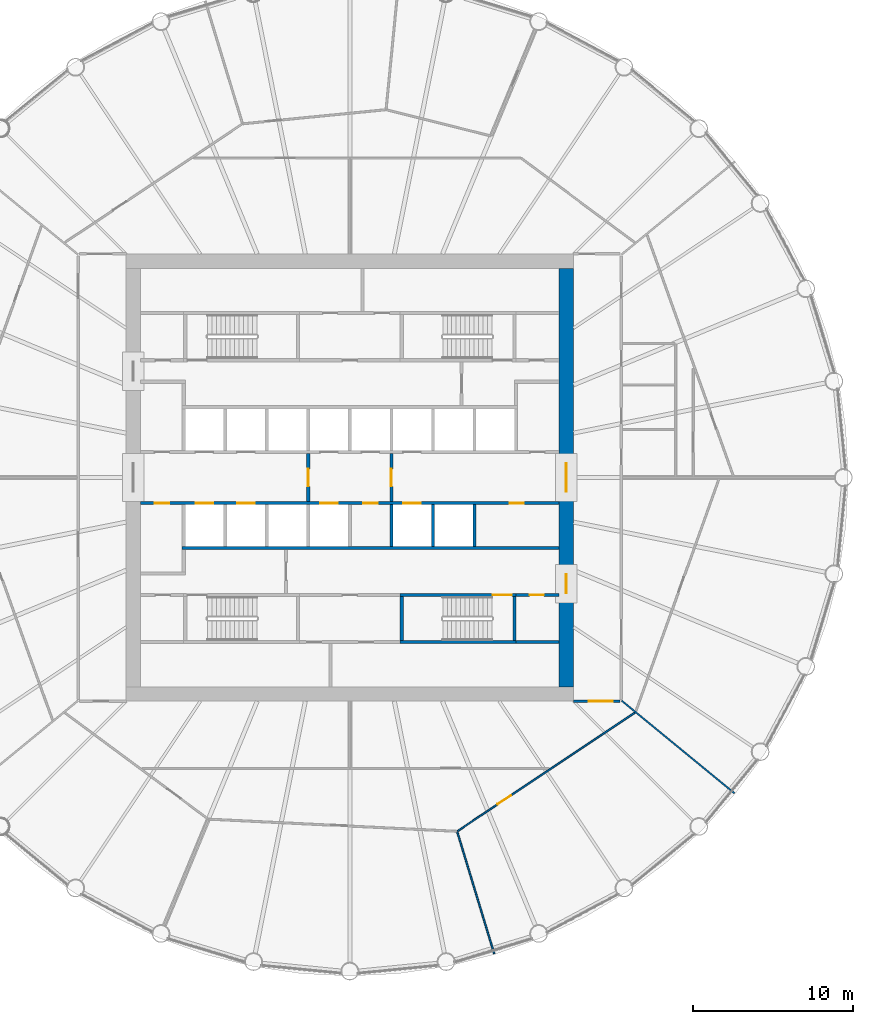
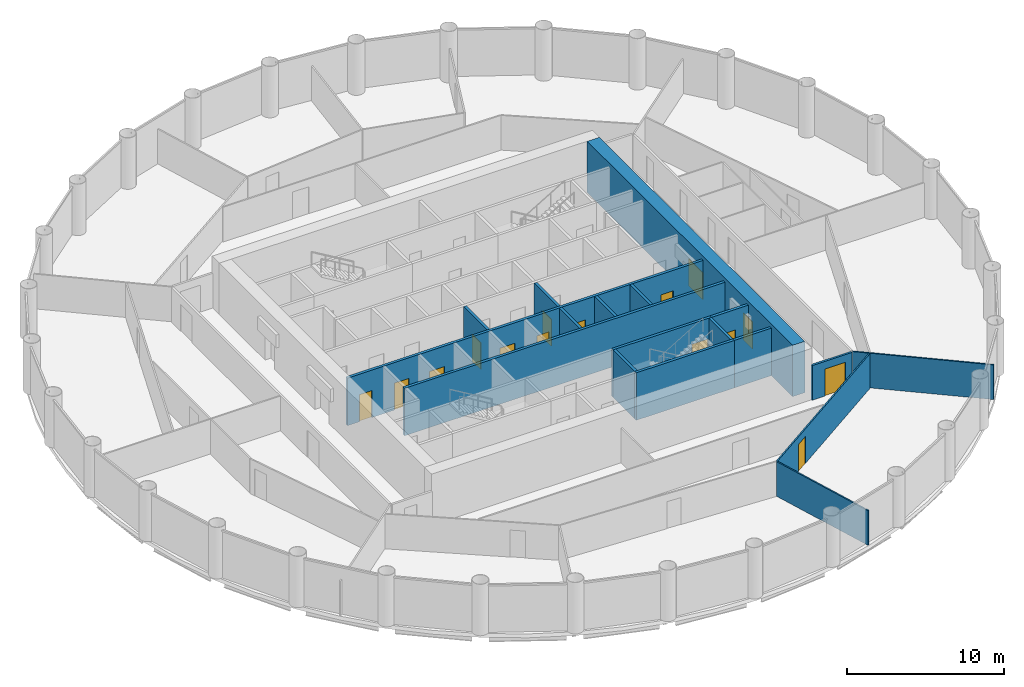
# One storey, part 5 of 9: 18 walls, 15 doors, 15 openings.
"""IFC4 building model written with IfcOpenShell, lengths in metres."""

from ifc_helpers import new_model, si_unit, direction, frame, frame_2d, origin, place, context, subcontext, project, spatial, polyline, rectangle, outline, extrude, material, layer, layer_set, type_object, element, fill, save


model = new_model("IFC4")

# Units and contexts
model_context = context("Model", 3, precision=1e-05, world=origin(), true_north=direction((0.0, 1.0)))
body_context = subcontext(model_context, "Body", "Model", "MODEL_VIEW")
ifc_project = project(units=[si_unit("LENGTHUNIT", "METRE"), si_unit("AREAUNIT", "SQUARE_METRE"), si_unit("VOLUMEUNIT", "CUBIC_METRE"), si_unit("PLANEANGLEUNIT", "RADIAN"), si_unit("MASSUNIT", "GRAM", prefix="KILO")], contexts=[model_context])

# Site, building, storey
site_placement = place(None, origin())
site = spatial("IfcSite", under=ifc_project, at=site_placement, CompositionType="ELEMENT")
building_placement = place(site_placement, origin())
building = spatial("IfcBuilding", under=site, at=building_placement, Name="Corvane Civic Tower", CompositionType="ELEMENT")
storey_placement = place(building_placement, frame((0.0, 0.0, 180.0)))
storey = spatial("IfcBuildingStorey", under=building, at=storey_placement, Name="L42", CompositionType="ELEMENT", Elevation=180.0)

# Wall, openings, doors
ifc_material_1 = material(Name="Concrete C60/75", Category="concrete")
ifc_layer_1 = layer(ifc_material_1, 0.89990234375)
ifc_layer_set_1 = layer_set([ifc_layer_1], Name="Concrete C60/75")
wall_type_1 = type_object("IfcWallType", Name="CORE WALL 900 C60/75", PredefinedType="SHEAR", material=ifc_layer_set_1)
wall_1_placement = place(storey_placement, frame((13.550048828125, -13.10009765625, 0.0), z_axis=(0.0, 0.0, 1.0), x_axis=(0.0, 1.0, 0.0)))
wall_1 = element("IfcWall", 1, at=wall_1_placement, inside=storey, type_object=wall_type_1, Name="W-L42-core-E", PredefinedType="SHEAR", context=body_context, shape_type="SweptSolid", body=[
    extrude(rectangle(XDim=26.2001953125, YDim=0.89990234375, at=frame_2d((13.10009765625, 0.0))), origin(), (0.0, 0.0, 1.0), 4.0),
])
opening_1_placement = place(wall_1_placement, frame((12.199951171875, 0.0, 0.0)))
opening_1 = element("IfcOpeningElement", 2, at=opening_1_placement, cuts=wall_1, Name="Opening L42.C25", PredefinedType="OPENING", context=body_context, shape_type="SweptSolid", body=[
    extrude(rectangle(XDim=1.800048828125, YDim=2.10009765625, at=frame_2d((0.89990234375, 1.050048828125))), frame((0.0, 0.4599609375, 0.0), z_axis=(0.0, -1.0, 0.0), x_axis=(1.0, 0.0, 0.0)), (0.0, 0.0, 1.0), 0.919921875),
])
opening_2_placement = place(wall_1_placement, frame((5.85009765625, 0.0, 0.0)))
opening_2 = element("IfcOpeningElement", 3, at=opening_2_placement, cuts=wall_1, Name="Opening L42.C27", PredefinedType="OPENING", context=body_context, shape_type="SweptSolid", body=[
    extrude(rectangle(XDim=1.199951171875, YDim=2.10009765625, at=frame_2d((0.60009765625, 1.050048828125))), frame((0.0, 0.4599609375, 0.0), z_axis=(0.0, -1.0, 0.0), x_axis=(1.0, 0.0, 0.0)), (0.0, 0.0, 1.0), 0.919921875),
])
ifc_material_2 = material(Name="Steel fire door leaf", Category="steel")
door_type_1 = type_object("IfcDoorType", Name="CR-DOOR-CORE-1800", OperationType="DOUBLE_DOOR_SINGLE_SWING", PredefinedType="DOOR", material=ifc_material_2)
door_1_placement = place(opening_1_placement, origin())
door_1 = element("IfcDoor", 4, at=door_1_placement, inside=storey, type_object=door_type_1, Name="L42 door", OperationType="DOUBLE_DOOR_SINGLE_SWING", OverallHeight=2.10009765625, OverallWidth=1.800048828125, PredefinedType="DOOR", context=body_context, shape_type="SweptSolid", body=[
    extrude(rectangle(XDim=1.800048828125, YDim=2.10009765625, at=frame_2d((0.89990234375, 1.050048828125))), frame((0.0, 0.02490234375, 0.0), z_axis=(0.0, -1.0, 0.0), x_axis=(1.0, 0.0, 0.0)), (0.0, 0.0, 1.0), 0.050048828125),
])
fill(opening_1, door_1)
door_2_placement = place(opening_2_placement, origin())
door_2 = element("IfcDoor", 5, at=door_2_placement, inside=storey, type_object=door_type_1, Name="L42 door", OperationType="DOUBLE_DOOR_SINGLE_SWING", OverallHeight=2.10009765625, OverallWidth=1.199951171875, PredefinedType="DOOR", context=body_context, shape_type="SweptSolid", body=[
    extrude(rectangle(XDim=1.199951171875, YDim=2.10009765625, at=frame_2d((0.60009765625, 1.050048828125))), frame((0.0, 0.02490234375, 0.0), z_axis=(0.0, -1.0, 0.0), x_axis=(1.0, 0.0, 0.0)), (0.0, 0.0, 1.0), 0.050048828125),
])
fill(opening_2, door_2)

# Wall, opening, door
ifc_material_3 = material(Name="Concrete C30/37", Category="concrete")
ifc_layer_2 = layer(ifc_material_3, 0.199951171875)
ifc_layer_set_2 = layer_set([ifc_layer_2], Name="Concrete C30/37")
wall_type_2 = type_object("IfcWallType", Name="CR-WALL-200", PredefinedType="PARTITIONING", material=ifc_layer_set_2)
wall_2_placement = place(storey_placement, frame((10.39990234375, -7.35009765625, 0.0), z_axis=(0.0, 0.0, 1.0), x_axis=(1.0, 0.0, 0.0)))
wall_2 = element("IfcWall", 6, at=wall_2_placement, inside=storey, type_object=wall_type_2, Name="L42 core partition wall", PredefinedType="PARTITIONING", context=body_context, shape_type="SweptSolid", body=[
    extrude(rectangle(XDim=2.7001953125, YDim=0.199951171875, at=frame_2d((1.35009765625, 0.0))), origin(), (0.0, 0.0, 1.0), 3.699951171875),
])
opening_3_placement = place(wall_2_placement, frame((0.85009765625, 0.0, 0.0)))
opening_3 = element("IfcOpeningElement", 7, at=opening_3_placement, cuts=wall_2, Name="Opening L42.C15", PredefinedType="OPENING", context=body_context, shape_type="SweptSolid", body=[
    extrude(rectangle(XDim=0.89990234375, YDim=2.10009765625, at=frame_2d((0.449951171875, 1.050048828125))), frame((0.0, 0.10986328125, 0.0), z_axis=(0.0, -1.0, 0.0), x_axis=(1.0, 0.0, 0.0)), (0.0, 0.0, 1.0), 0.219970703125),
])
ifc_material_4 = material(Name="Steel fire door leaf", Category="steel")
door_type_2 = type_object("IfcDoorType", Name="CR-DOOR-900", OperationType="SINGLE_SWING_LEFT", PredefinedType="DOOR", material=ifc_material_4)
door_3_placement = place(opening_3_placement, origin())
door_3 = element("IfcDoor", 8, at=door_3_placement, inside=storey, type_object=door_type_2, Name="L42 door", OperationType="SINGLE_SWING_LEFT", OverallHeight=2.10009765625, OverallWidth=0.89990234375, PredefinedType="DOOR", context=body_context, shape_type="SweptSolid", body=[
    extrude(rectangle(XDim=0.89990234375, YDim=2.10009765625, at=frame_2d((0.449951171875, 1.050048828125))), frame((0.0, 0.02490234375, 0.0), z_axis=(0.0, -1.0, 0.0), x_axis=(1.0, 0.0, 0.0)), (0.0, 0.0, 1.0), 0.050048828125),
])
fill(opening_3, door_3)

# Wall, openings, doors
wall_3_placement = place(storey_placement, frame((-13.10009765625, -1.60009765625, 0.0), z_axis=(0.0, 0.0, 1.0), x_axis=(1.0, 0.0, 0.0)))
wall_3 = element("IfcWall", 9, at=wall_3_placement, inside=storey, type_object=wall_type_2, Name="L42 lift shaft wall", PredefinedType="PARTITIONING", context=body_context, shape_type="SweptSolid", body=[
    extrude(rectangle(XDim=26.2001953125, YDim=0.199951171875, at=frame_2d((13.10009765625, 0.0))), origin(), (0.0, 0.0, 1.0), 3.699951171875),
])
opening_4_placement = place(wall_3_placement, frame((3.449951171875, 0.0, 0.0)))
opening_4 = element("IfcOpeningElement", 10, at=opening_4_placement, cuts=wall_3, Name="Opening LD", PredefinedType="OPENING", context=body_context, shape_type="SweptSolid", body=[
    extrude(rectangle(XDim=1.10009765625, YDim=2.10009765625, at=frame_2d((0.550048828125, 1.050048828125))), frame((0.0, 0.10986328125, 0.0), z_axis=(0.0, -1.0, 0.0), x_axis=(1.0, 0.0, 0.0)), (0.0, 0.0, 1.0), 0.219970703125),
])
opening_5_placement = place(wall_3_placement, frame((6.050048828125, 0.0, 0.0)))
opening_5 = element("IfcOpeningElement", 11, at=opening_5_placement, cuts=wall_3, Name="Opening LD", PredefinedType="OPENING", context=body_context, shape_type="SweptSolid", body=[
    extrude(rectangle(XDim=1.10009765625, YDim=2.10009765625, at=frame_2d((0.550048828125, 1.050048828125))), frame((0.0, 0.10986328125, 0.0), z_axis=(0.0, -1.0, 0.0), x_axis=(1.0, 0.0, 0.0)), (0.0, 0.0, 1.0), 0.219970703125),
])
opening_6_placement = place(wall_3_placement, frame((11.25, 0.0, 0.0)))
opening_6 = element("IfcOpeningElement", 12, at=opening_6_placement, cuts=wall_3, Name="Opening LD", PredefinedType="OPENING", context=body_context, shape_type="SweptSolid", body=[
    extrude(rectangle(XDim=1.10009765625, YDim=2.10009765625, at=frame_2d((0.550048828125, 1.050048828125))), frame((0.0, 0.10986328125, 0.0), z_axis=(0.0, -1.0, 0.0), x_axis=(1.0, 0.0, 0.0)), (0.0, 0.0, 1.0), 0.219970703125),
])
opening_7_placement = place(wall_3_placement, frame((13.949951171875, 0.0, 0.0)))
opening_7 = element("IfcOpeningElement", 13, at=opening_7_placement, cuts=wall_3, Name="Opening L42.C03", PredefinedType="OPENING", context=body_context, shape_type="SweptSolid", body=[
    extrude(rectangle(XDim=0.89990234375, YDim=2.10009765625, at=frame_2d((0.449951171875, 1.050048828125))), frame((0.0, 0.10986328125, 0.0), z_axis=(0.0, -1.0, 0.0), x_axis=(1.0, 0.0, 0.0)), (0.0, 0.0, 1.0), 0.219970703125),
])
opening_8_placement = place(wall_3_placement, frame((16.449951171875, 0.0, 0.0)))
opening_8 = element("IfcOpeningElement", 14, at=opening_8_placement, cuts=wall_3, Name="Opening LD", PredefinedType="OPENING", context=body_context, shape_type="SweptSolid", body=[
    extrude(rectangle(XDim=1.10009765625, YDim=2.10009765625, at=frame_2d((0.550048828125, 1.050048828125))), frame((0.0, 0.10986328125, 0.0), z_axis=(0.0, -1.0, 0.0), x_axis=(1.0, 0.0, 0.0)), (0.0, 0.0, 1.0), 0.219970703125),
])
opening_9_placement = place(wall_3_placement, frame((0.89990234375, 0.0, 0.0)))
opening_9 = element("IfcOpeningElement", 15, at=opening_9_placement, cuts=wall_3, Name="Opening L42.C04", PredefinedType="OPENING", context=body_context, shape_type="SweptSolid", body=[
    extrude(rectangle(XDim=0.89990234375, YDim=2.10009765625, at=frame_2d((0.449951171875, 1.050048828125))), frame((0.0, 0.10986328125, 0.0), z_axis=(0.0, -1.0, 0.0), x_axis=(1.0, 0.0, 0.0)), (0.0, 0.0, 1.0), 0.219970703125),
])
opening_10_placement = place(wall_3_placement, frame((23.10009765625, 0.0, 0.0)))
opening_10 = element("IfcOpeningElement", 16, at=opening_10_placement, cuts=wall_3, Name="Opening L42.C05", PredefinedType="OPENING", context=body_context, shape_type="SweptSolid", body=[
    extrude(rectangle(XDim=0.89990234375, YDim=2.10009765625, at=frame_2d((0.449951171875, 1.050048828125))), frame((0.0, 0.10986328125, 0.0), z_axis=(0.0, -1.0, 0.0), x_axis=(1.0, 0.0, 0.0)), (0.0, 0.0, 1.0), 0.219970703125),
])
door_4_placement = place(opening_7_placement, origin())
door_4 = element("IfcDoor", 17, at=door_4_placement, inside=storey, type_object=door_type_2, Name="L42 door", OperationType="SINGLE_SWING_LEFT", OverallHeight=2.10009765625, OverallWidth=0.89990234375, PredefinedType="DOOR", context=body_context, shape_type="SweptSolid", body=[
    extrude(rectangle(XDim=0.89990234375, YDim=2.10009765625, at=frame_2d((0.449951171875, 1.050048828125))), frame((0.0, 0.02490234375, 0.0), z_axis=(0.0, -1.0, 0.0), x_axis=(1.0, 0.0, 0.0)), (0.0, 0.0, 1.0), 0.050048828125),
])
fill(opening_7, door_4)
door_5_placement = place(opening_9_placement, origin())
door_5 = element("IfcDoor", 18, at=door_5_placement, inside=storey, type_object=door_type_2, Name="L42 door", OperationType="SINGLE_SWING_LEFT", OverallHeight=2.10009765625, OverallWidth=0.89990234375, PredefinedType="DOOR", context=body_context, shape_type="SweptSolid", body=[
    extrude(rectangle(XDim=0.89990234375, YDim=2.10009765625, at=frame_2d((0.449951171875, 1.050048828125))), frame((0.0, 0.02490234375, 0.0), z_axis=(0.0, -1.0, 0.0), x_axis=(1.0, 0.0, 0.0)), (0.0, 0.0, 1.0), 0.050048828125),
])
fill(opening_9, door_5)
door_6_placement = place(opening_10_placement, origin())
door_6 = element("IfcDoor", 19, at=door_6_placement, inside=storey, type_object=door_type_2, Name="L42 door", OperationType="SINGLE_SWING_LEFT", OverallHeight=2.10009765625, OverallWidth=0.89990234375, PredefinedType="DOOR", context=body_context, shape_type="SweptSolid", body=[
    extrude(rectangle(XDim=0.89990234375, YDim=2.10009765625, at=frame_2d((0.449951171875, 1.050048828125))), frame((0.0, 0.02490234375, 0.0), z_axis=(0.0, -1.0, 0.0), x_axis=(1.0, 0.0, 0.0)), (0.0, 0.0, 1.0), 0.050048828125),
])
fill(opening_10, door_6)
ifc_material_5 = material(Name="Stainless steel 316 door leaves", Category="steel")
door_type_3 = type_object("IfcDoorType", Name="LD", OperationType="DOUBLE_DOOR_SLIDING", PredefinedType="DOOR", material=ifc_material_5)
door_7_placement = place(opening_4_placement, origin())
door_7 = element("IfcDoor", 20, at=door_7_placement, inside=storey, type_object=door_type_3, Name="L42 landing door", OperationType="DOUBLE_DOOR_SLIDING", OverallHeight=2.10009765625, OverallWidth=1.10009765625, PredefinedType="DOOR", context=body_context, shape_type="SweptSolid", body=[
    extrude(rectangle(XDim=1.10009765625, YDim=2.10009765625, at=frame_2d((0.550048828125, 1.050048828125))), frame((0.0, 0.02490234375, 0.0), z_axis=(0.0, -1.0, 0.0), x_axis=(1.0, 0.0, 0.0)), (0.0, 0.0, 1.0), 0.050048828125),
])
fill(opening_4, door_7)
door_8_placement = place(opening_5_placement, origin())
door_8 = element("IfcDoor", 21, at=door_8_placement, inside=storey, type_object=door_type_3, Name="L42 landing door", OperationType="DOUBLE_DOOR_SLIDING", OverallHeight=2.10009765625, OverallWidth=1.10009765625, PredefinedType="DOOR", context=body_context, shape_type="SweptSolid", body=[
    extrude(rectangle(XDim=1.10009765625, YDim=2.10009765625, at=frame_2d((0.550048828125, 1.050048828125))), frame((0.0, 0.02490234375, 0.0), z_axis=(0.0, -1.0, 0.0), x_axis=(1.0, 0.0, 0.0)), (0.0, 0.0, 1.0), 0.050048828125),
])
fill(opening_5, door_8)
door_9_placement = place(opening_6_placement, origin())
door_9 = element("IfcDoor", 22, at=door_9_placement, inside=storey, type_object=door_type_3, Name="L42 landing door", OperationType="DOUBLE_DOOR_SLIDING", OverallHeight=2.10009765625, OverallWidth=1.10009765625, PredefinedType="DOOR", context=body_context, shape_type="SweptSolid", body=[
    extrude(rectangle(XDim=1.10009765625, YDim=2.10009765625, at=frame_2d((0.550048828125, 1.050048828125))), frame((0.0, 0.02490234375, 0.0), z_axis=(0.0, -1.0, 0.0), x_axis=(1.0, 0.0, 0.0)), (0.0, 0.0, 1.0), 0.050048828125),
])
fill(opening_6, door_9)
door_10_placement = place(opening_8_placement, origin())
door_10 = element("IfcDoor", 23, at=door_10_placement, inside=storey, type_object=door_type_3, Name="L42 landing door", OperationType="DOUBLE_DOOR_SLIDING", OverallHeight=2.10009765625, OverallWidth=1.10009765625, PredefinedType="DOOR", context=body_context, shape_type="SweptSolid", body=[
    extrude(rectangle(XDim=1.10009765625, YDim=2.10009765625, at=frame_2d((0.550048828125, 1.050048828125))), frame((0.0, 0.02490234375, 0.0), z_axis=(0.0, -1.0, 0.0), x_axis=(1.0, 0.0, 0.0)), (0.0, 0.0, 1.0), 0.050048828125),
])
fill(opening_8, door_10)

# Wall, opening, door
wall_4_placement = place(storey_placement, frame((-2.60009765625, -1.5, 0.0), z_axis=(0.0, 0.0, 1.0), x_axis=(0.0, 1.0, 0.0)))
wall_4 = element("IfcWall", 24, at=wall_4_placement, inside=storey, type_object=wall_type_2, Name="L42 firefighting lobby wall", PredefinedType="PARTITIONING", context=body_context, shape_type="SweptSolid", body=[
    extrude(rectangle(XDim=3.0, YDim=0.199951171875, at=frame_2d((1.5, 0.0))), origin(), (0.0, 0.0, 1.0), 3.699951171875),
])
opening_11_placement = place(wall_4_placement, frame((0.949951171875, 0.0, 0.0)))
opening_11 = element("IfcOpeningElement", 25, at=opening_11_placement, cuts=wall_4, Name="Opening L42.C20", PredefinedType="OPENING", context=body_context, shape_type="SweptSolid", body=[
    extrude(rectangle(XDim=1.10009765625, YDim=2.10009765625, at=frame_2d((0.550048828125, 1.050048828125))), frame((0.0, 0.10986328125, 0.0), z_axis=(0.0, -1.0, 0.0), x_axis=(1.0, 0.0, 0.0)), (0.0, 0.0, 1.0), 0.219970703125),
])
ifc_material_6 = material(Name="Steel fire door leaf", Category="steel")
door_type_4 = type_object("IfcDoorType", Name="CR-DOOR-FFL-1100", OperationType="SINGLE_SWING_LEFT", PredefinedType="DOOR", material=ifc_material_6)
door_11_placement = place(opening_11_placement, origin())
door_11 = element("IfcDoor", 26, at=door_11_placement, inside=storey, type_object=door_type_4, Name="L42 lobby door", OperationType="SINGLE_SWING_LEFT", OverallHeight=2.10009765625, OverallWidth=1.10009765625, PredefinedType="DOOR", context=body_context, shape_type="SweptSolid", body=[
    extrude(rectangle(XDim=1.10009765625, YDim=2.10009765625, at=frame_2d((0.550048828125, 1.050048828125))), frame((0.0, 0.02490234375, 0.0), z_axis=(0.0, -1.0, 0.0), x_axis=(1.0, 0.0, 0.0)), (0.0, 0.0, 1.0), 0.050048828125),
])
fill(opening_11, door_11)

wall_5_placement = place(storey_placement, frame((2.60009765625, -1.5, 0.0), z_axis=(0.0, 0.0, 1.0), x_axis=(0.0, 1.0, 0.0)))
wall_5 = element("IfcWall", 27, at=wall_5_placement, inside=storey, type_object=wall_type_2, Name="L42 firefighting lobby wall", PredefinedType="PARTITIONING", context=body_context, shape_type="SweptSolid", body=[
    extrude(rectangle(XDim=3.0, YDim=0.199951171875, at=frame_2d((1.5, 0.0))), origin(), (0.0, 0.0, 1.0), 3.699951171875),
])
opening_12_placement = place(wall_5_placement, frame((0.949951171875, 0.0, 0.0)))
opening_12 = element("IfcOpeningElement", 28, at=opening_12_placement, cuts=wall_5, Name="Opening L42.C21", PredefinedType="OPENING", context=body_context, shape_type="SweptSolid", body=[
    extrude(rectangle(XDim=1.10009765625, YDim=2.10009765625, at=frame_2d((0.550048828125, 1.050048828125))), frame((0.0, 0.10986328125, 0.0), z_axis=(0.0, -1.0, 0.0), x_axis=(1.0, 0.0, 0.0)), (0.0, 0.0, 1.0), 0.219970703125),
])
door_12_placement = place(opening_12_placement, origin())
door_12 = element("IfcDoor", 29, at=door_12_placement, inside=storey, type_object=door_type_4, Name="L42 lobby door", OperationType="SINGLE_SWING_LEFT", OverallHeight=2.10009765625, OverallWidth=1.10009765625, PredefinedType="DOOR", context=body_context, shape_type="SweptSolid", body=[
    extrude(rectangle(XDim=1.10009765625, YDim=2.10009765625, at=frame_2d((0.550048828125, 1.050048828125))), frame((0.0, 0.02490234375, 0.0), z_axis=(0.0, -1.0, 0.0), x_axis=(1.0, 0.0, 0.0)), (0.0, 0.0, 1.0), 0.050048828125),
])
fill(opening_12, door_12)

# Walls
wall_6_placement = place(storey_placement, origin())
element("IfcWall", 30, at=wall_6_placement, inside=storey, type_object=wall_type_2, Name="L42 core partition wall", PredefinedType="PARTITIONING", context=body_context, shape_type="SweptSolid", body=[
    extrude(outline(polyline([(13.10009765625, -4.300048828125), (13.10009765625, -4.5), (-10.5, -4.5), (-10.5, -4.300048828125), (13.10009765625, -4.300048828125)])), origin(), (0.0, 0.0, 1.0), 3.699951171875),
])
wall_7_placement = place(storey_placement, origin())
element("IfcWall", 31, at=wall_7_placement, inside=storey, type_object=wall_type_2, Name="L42 core partition wall", PredefinedType="PARTITIONING", context=body_context, shape_type="SweptSolid", body=[
    extrude(outline(polyline([(2.699951171875, -1.699951171875), (2.699951171875, -4.2998046875), (2.5, -4.2998046875), (2.5, -1.699951171875), (2.699951171875, -1.699951171875)])), origin(), (0.0, 0.0, 1.0), 3.699951171875),
])
wall_8_placement = place(storey_placement, origin())
element("IfcWall", 32, at=wall_8_placement, inside=storey, type_object=wall_type_2, Name="L42 core partition wall", PredefinedType="PARTITIONING", context=body_context, shape_type="SweptSolid", body=[
    extrude(outline(polyline([(5.300048828125, -1.699951171875), (5.300048828125, -4.2998046875), (5.10009765625, -4.2998046875), (5.10009765625, -1.699951171875), (5.300048828125, -1.699951171875)])), origin(), (0.0, 0.0, 1.0), 3.699951171875),
])
wall_9_placement = place(storey_placement, origin())
element("IfcWall", 33, at=wall_9_placement, inside=storey, type_object=wall_type_2, Name="L42 core partition wall", PredefinedType="PARTITIONING", context=body_context, shape_type="SweptSolid", body=[
    extrude(outline(polyline([(7.89990234375, -1.699951171875), (7.89990234375, -4.2998046875), (7.699951171875, -4.2998046875), (7.699951171875, -1.699951171875), (7.89990234375, -1.699951171875)])), origin(), (0.0, 0.0, 1.0), 3.699951171875),
])
wall_10_placement = place(storey_placement, origin())
element("IfcWall", 34, at=wall_10_placement, inside=storey, type_object=wall_type_2, Name="L42 core partition wall", PredefinedType="PARTITIONING", context=body_context, shape_type="SweptSolid", body=[
    extrude(outline(polyline([(13.10009765625, -10.39990234375), (10.39990234375, -10.39990234375), (10.39990234375, -10.199951171875), (13.10009765625, -10.199951171875), (13.10009765625, -10.39990234375)])), origin(), (0.0, 0.0, 1.0), 3.699951171875),
])
ifc_material_7 = material(Name="Plasterboard")
ifc_layer_3 = layer(ifc_material_7, 0.10009765625)
ifc_layer_set_3 = layer_set([ifc_layer_3], Name="Plasterboard")
wall_type_3 = type_object("IfcWallType", Name="Partition 100 plasterboard on studs", PredefinedType="PARTITIONING", material=ifc_layer_set_3)
wall_11_placement = place(storey_placement, frame((6.72802734375, -22.1796875, 0.0), z_axis=(0.0, 0.0, 1.0), x_axis=(0.29030485327, -0.956934215173, 0.0)))
element("IfcWall", 35, at=wall_11_placement, inside=storey, type_object=wall_type_3, Name="Partition L42.001", PredefinedType="PARTITIONING", context=body_context, shape_type="SweptSolid", body=[
    extrude(rectangle(XDim=7.972412109375, YDim=0.10009765625, at=frame_2d((3.986328125, 0.0))), origin(), (0.0, 0.0, 1.0), 2.699951171875),
])

# Wall, opening, door
wall_12_placement = place(storey_placement, frame((6.748291015625, -22.12353515625, 0.0), z_axis=(0.0, 0.0, 1.0), x_axis=(0.831460930183, 0.55558322651, 0.0)))
wall_12 = element("IfcWall", 36, at=wall_12_placement, inside=storey, type_object=wall_type_3, Name="Partition L42.004", PredefinedType="PARTITIONING", context=body_context, shape_type="SweptSolid", body=[
    extrude(rectangle(XDim=13.330078125, YDim=0.10009765625, at=frame_2d((6.6650390625, 0.0))), origin(), (0.0, 0.0, 1.0), 2.699951171875),
])
opening_13_placement = place(wall_12_placement, frame((3.012451171875, 0.0, 0.0)))
opening_13 = element("IfcOpeningElement", 37, at=opening_13_placement, cuts=wall_12, Name="Opening L42.007", PredefinedType="OPENING", context=body_context, shape_type="SweptSolid", body=[
    extrude(rectangle(XDim=1.0, YDim=2.10009765625, at=frame_2d((0.5, 1.050048828125))), frame((0.0, 0.06005859375, 0.0), z_axis=(0.0, -1.0, 0.0), x_axis=(1.0, 0.0, 0.0)), (0.0, 0.0, 1.0), 0.1201171875),
])
ifc_material_8 = material(Name="Timber", Category="wood")
door_type_5 = type_object("IfcDoorType", Name="Single door 1000", OperationType="NOTDEFINED", PredefinedType="DOOR", material=ifc_material_8)
door_13_placement = place(opening_13_placement, frame((1.0, 0.0, 0.0), z_axis=(0.0, 0.0, 1.0), x_axis=(-1.0, 0.0, 0.0)))
door_13 = element("IfcDoor", 38, at=door_13_placement, inside=storey, type_object=door_type_5, Name="Door L42.007", OperationType="SINGLE_SWING_LEFT", OverallHeight=2.10009765625, OverallWidth=1.0, PredefinedType="DOOR", context=body_context, shape_type="SweptSolid", body=[
    extrude(rectangle(XDim=1.0, YDim=2.10009765625, at=frame_2d((0.5, 1.050048828125))), frame((0.0, 0.02490234375, 0.0), z_axis=(0.0, -1.0, 0.0), x_axis=(1.0, 0.0, 0.0)), (0.0, 0.0, 1.0), 0.050048828125),
])
fill(opening_13, door_13)

# Wall
wall_13_placement = place(storey_placement, frame((17.018310546875, -13.966552734375, 0.0), z_axis=(0.0, 0.0, 1.0), x_axis=(0.773006154143, -0.634398522742, 0.0)))
element("IfcWall", 39, at=wall_13_placement, inside=storey, type_object=wall_type_3, Name="Partition L42.007", PredefinedType="PARTITIONING", context=body_context, shape_type="SweptSolid", body=[
    extrude(rectangle(XDim=9.134521484375, YDim=0.10009765625, at=frame_2d((4.5673828125, 0.0))), origin(), (0.0, 0.0, 1.0), 2.699951171875),
])

# Wall, opening, door
ifc_material_9 = material(Name="Concrete C50/60", Category="concrete")
ifc_layer_4 = layer(ifc_material_9, 0.199951171875)
ifc_layer_set_4 = layer_set([ifc_layer_4], Name="Concrete C50/60")
wall_type_4 = type_object("IfcWallType", Name="ST-WALL-200", PredefinedType="SHEAR", material=ifc_layer_set_4)
wall_14_placement = place(storey_placement, frame((3.14990234375, -7.35009765625, 0.0), z_axis=(0.0, 0.0, 1.0), x_axis=(1.0, 0.0, 0.0)))
wall_14 = element("IfcWall", 40, at=wall_14_placement, inside=storey, type_object=wall_type_4, Name="L42 stair enclosure wall", PredefinedType="SHEAR", context=body_context, shape_type="SweptSolid", body=[
    extrude(rectangle(XDim=7.25, YDim=0.199951171875, at=frame_2d((3.625, 0.0))), origin(), (0.0, 0.0, 1.0), 3.699951171875),
])
opening_14_placement = place(wall_14_placement, frame((5.800048828125, 0.0, 0.0)))
opening_14 = element("IfcOpeningElement", 41, at=opening_14_placement, cuts=wall_14, Name="Opening L42.C18", PredefinedType="OPENING", context=body_context, shape_type="SweptSolid", body=[
    extrude(rectangle(XDim=1.199951171875, YDim=2.10009765625, at=frame_2d((0.60009765625, 1.050048828125))), frame((0.0, 0.10986328125, 0.0), z_axis=(0.0, -1.0, 0.0), x_axis=(1.0, 0.0, 0.0)), (0.0, 0.0, 1.0), 0.219970703125),
])
ifc_material_10 = material(Name="Steel fire door leaf", Category="steel")
door_type_6 = type_object("IfcDoorType", Name="ST-DOOR-1200", OperationType="SINGLE_SWING_RIGHT", PredefinedType="DOOR", material=ifc_material_10)
door_14_placement = place(opening_14_placement, origin())
door_14 = element("IfcDoor", 42, at=door_14_placement, inside=storey, type_object=door_type_6, Name="L42 stair door", OperationType="SINGLE_SWING_RIGHT", OverallHeight=2.10009765625, OverallWidth=1.199951171875, PredefinedType="DOOR", context=body_context, shape_type="SweptSolid", body=[
    extrude(rectangle(XDim=1.199951171875, YDim=2.10009765625, at=frame_2d((0.60009765625, 1.050048828125))), frame((0.0, 0.02490234375, 0.0), z_axis=(0.0, -1.0, 0.0), x_axis=(1.0, 0.0, 0.0)), (0.0, 0.0, 1.0), 0.050048828125),
])
fill(opening_14, door_14)

# Walls
wall_15_placement = place(storey_placement, origin())
element("IfcWall", 43, at=wall_15_placement, inside=storey, type_object=wall_type_4, Name="L42 stair enclosure wall", PredefinedType="SHEAR", context=body_context, shape_type="SweptSolid", body=[
    extrude(outline(polyline([(10.39990234375, -10.39990234375), (3.14990234375, -10.39990234375), (3.14990234375, -10.199951171875), (10.39990234375, -10.199951171875), (10.39990234375, -10.39990234375)])), origin(), (0.0, 0.0, 1.0), 3.699951171875),
])
wall_16_placement = place(storey_placement, origin())
element("IfcWall", 44, at=wall_16_placement, inside=storey, type_object=wall_type_4, Name="L42 stair enclosure wall", PredefinedType="SHEAR", context=body_context, shape_type="SweptSolid", body=[
    extrude(outline(polyline([(3.35009765625, -7.449951171875), (3.35009765625, -10.199951171875), (3.14990234375, -10.199951171875), (3.14990234375, -7.449951171875), (3.35009765625, -7.449951171875)])), origin(), (0.0, 0.0, 1.0), 3.699951171875),
])
wall_17_placement = place(storey_placement, origin())
element("IfcWall", 45, at=wall_17_placement, inside=storey, type_object=wall_type_4, Name="L42 stair enclosure wall", PredefinedType="SHEAR", context=body_context, shape_type="SweptSolid", body=[
    extrude(outline(polyline([(10.39990234375, -7.449951171875), (10.39990234375, -10.199951171875), (10.199951171875, -10.199951171875), (10.199951171875, -7.449951171875), (10.39990234375, -7.449951171875)])), origin(), (0.0, 0.0, 1.0), 3.699951171875),
])

# Wall, opening, door
ifc_material_11 = material(Name="Plasterboard")
ifc_layer_5 = layer(ifc_material_11, 0.14990234375)
ifc_layer_set_5 = layer_set([ifc_layer_5], Name="Plasterboard")
wall_type_5 = type_object("IfcWallType", Name="Tenancy wall 150 EI 60", PredefinedType="PARTITIONING", material=ifc_layer_set_5)
wall_18_placement = place(storey_placement, frame((13.989990234375, -14.0, 0.0), z_axis=(0.0, 0.0, 1.0), x_axis=(1.0, 0.0, 0.0)))
wall_18 = element("IfcWall", 46, at=wall_18_placement, inside=storey, type_object=wall_type_5, Name="Partition L42.013", PredefinedType="PARTITIONING", context=body_context, shape_type="SweptSolid", body=[
    extrude(rectangle(XDim=2.93505859375, YDim=0.14990234375, at=frame_2d((1.467529296875, 0.0))), origin(), (0.0, 0.0, 1.0), 2.699951171875),
])
opening_15_placement = place(wall_18_placement, frame((0.954345703125, 0.0, 0.0)))
opening_15 = element("IfcOpeningElement", 47, at=opening_15_placement, cuts=wall_18, Name="Opening L42.011", PredefinedType="OPENING", context=body_context, shape_type="SweptSolid", body=[
    extrude(rectangle(XDim=1.5, YDim=2.10009765625, at=frame_2d((0.75, 1.050048828125))), frame((0.0, 0.0849609375, 0.0), z_axis=(0.0, -1.0, 0.0), x_axis=(1.0, 0.0, 0.0)), (0.0, 0.0, 1.0), 0.169921875),
])
ifc_material_12 = material(Name="Steel and timber", Category="steel")
door_type_7 = type_object("IfcDoorType", Name="Fire door FD60 double 1500", OperationType="NOTDEFINED", PredefinedType="DOOR", material=ifc_material_12)
door_15_placement = place(opening_15_placement, frame((1.5, 0.0, 0.0), z_axis=(0.0, 0.0, 1.0), x_axis=(-1.0, 0.0, 0.0)))
door_15 = element("IfcDoor", 48, at=door_15_placement, inside=storey, type_object=door_type_7, Name="Door L42.011", OperationType="DOUBLE_DOOR_SINGLE_SWING", OverallHeight=2.10009765625, OverallWidth=1.5, PredefinedType="DOOR", context=body_context, shape_type="SweptSolid", body=[
    extrude(rectangle(XDim=1.5, YDim=2.10009765625, at=frame_2d((0.75, 1.050048828125))), frame((0.0, 0.02490234375, 0.0), z_axis=(0.0, -1.0, 0.0), x_axis=(1.0, 0.0, 0.0)), (0.0, 0.0, 1.0), 0.050048828125),
])
fill(opening_15, door_15)

save(model, "model.ifc")
